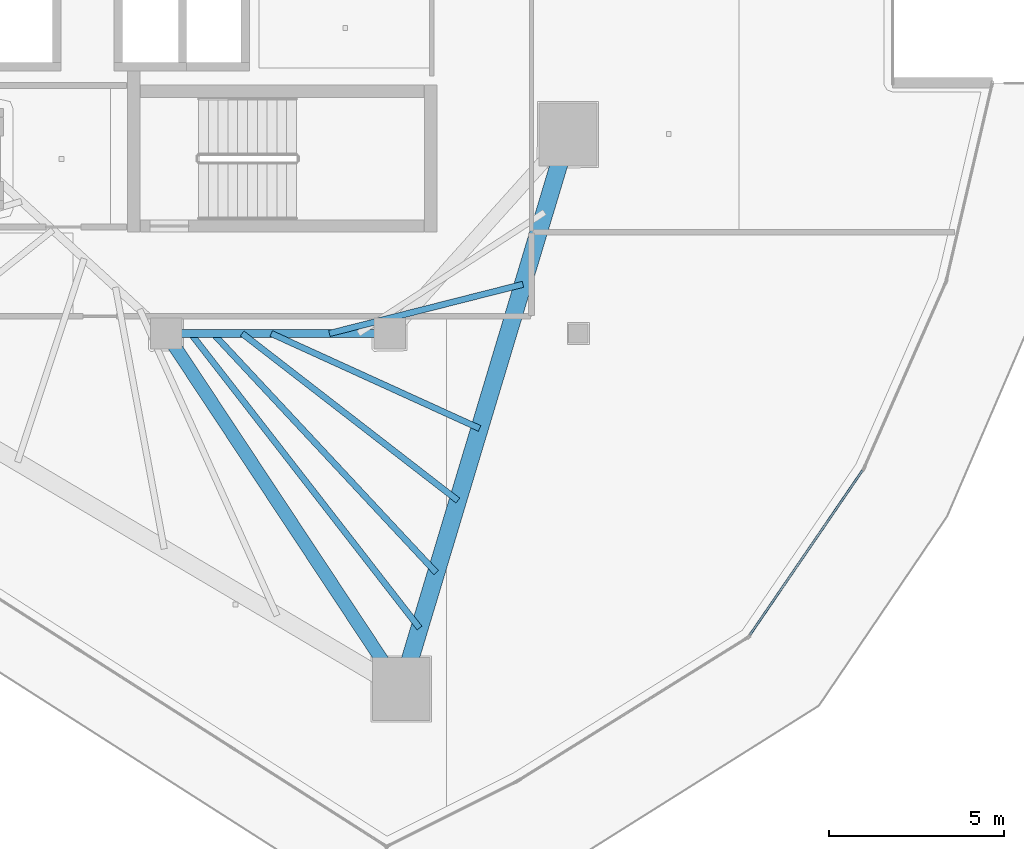
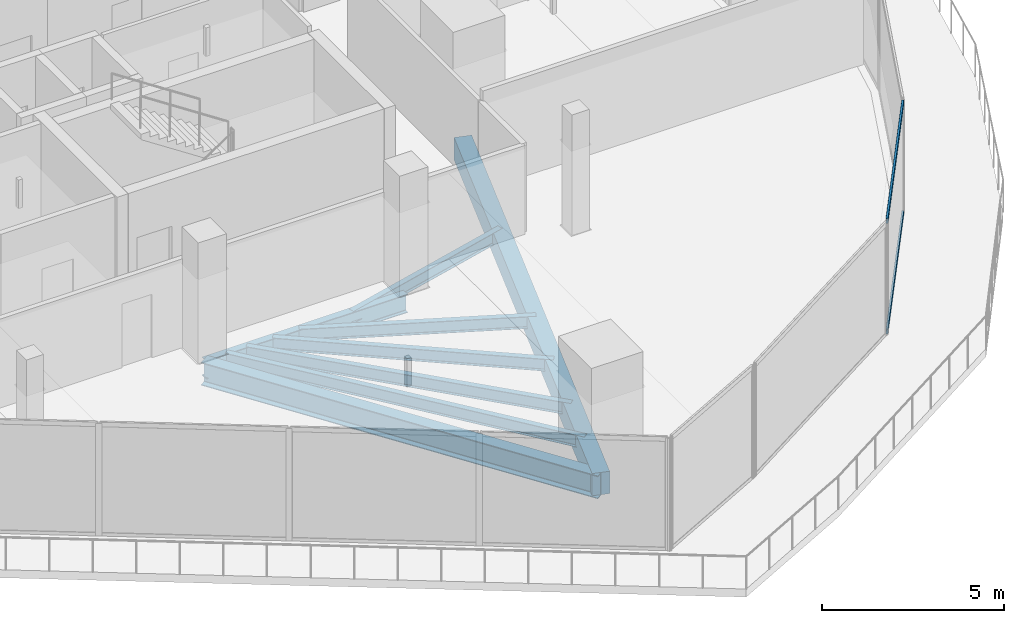
# One storey, part 11 of 33: 8 beams, 2 members, 1 element without a shape of its own.
"""IFC4 building model written with IfcOpenShell, lengths in metres."""

from ifc_helpers import new_model, si_unit, direction, frame, origin, origin_2d, place, context, subcontext, project, spatial, rectangle, hollow_rectangle, i_section, extrude, material, layer, layer_set, material_profile, profile_set, type_object, element, aggregate, save


model = new_model("IFC4")

# Units and contexts
model_context = context("Model", 3, precision=1e-05, world=origin(), true_north=direction((0.0, 1.0)))
body_context = subcontext(model_context, "Body", "Model", "MODEL_VIEW")
ifc_project = project(units=[si_unit("LENGTHUNIT", "METRE"), si_unit("AREAUNIT", "SQUARE_METRE"), si_unit("VOLUMEUNIT", "CUBIC_METRE"), si_unit("PLANEANGLEUNIT", "RADIAN"), si_unit("MASSUNIT", "GRAM", prefix="KILO")], contexts=[model_context])

# Site, building, storey
site_placement = place(None, origin())
site = spatial("IfcSite", under=ifc_project, at=site_placement, CompositionType="ELEMENT")
building_placement = place(site_placement, origin())
building = spatial("IfcBuilding", under=site, at=building_placement, Name="Qorvath Tower", CompositionType="ELEMENT")
storey_placement = place(building_placement, frame((0.0, 0.0, 221.25)))
storey = spatial("IfcBuildingStorey", under=building, at=storey_placement, Name="L51", CompositionType="ELEMENT", Elevation=221.25)

# Beams
ifc_material_1 = material(Name="Steel ASTM A992 Grade 50", Category="steel")
ifc_material_profile_1 = material_profile(ifc_material_1, i_section(OverallWidth=0.381103515625, OverallDepth=0.77294921875, WebThickness=0.0166015625, FlangeThickness=0.027099609375, FilletRadius=0.01904296875, at=origin_2d()), Name="W30x173")
ifc_profile_set_1 = profile_set([ifc_material_profile_1], Name="Steel ASTM A992 Grade 50")
beam_type_1 = type_object("IfcBeamType", Name="BM-FG3", PredefinedType="BEAM", material=ifc_profile_set_1)
beam_1_placement = place(storey_placement, frame((-23.60009765625, -11.449951171875, -0.656494140625), z_axis=(0.551500517741, -0.834174549439, 0.0), x_axis=(0.834174549439, 0.551500517741, 0.0)))
element("IfcBeam", 1, at=beam_1_placement, inside=storey, type_object=beam_type_1, Name="Radial Floor Girder CC4-MC3 L51", PredefinedType="BEAM", context=body_context, shape_type="SweptSolid", body=[
    extrude(i_section(OverallWidth=0.381103515625, OverallDepth=0.77294921875, WebThickness=0.0166015625, FlangeThickness=0.027099609375, FilletRadius=0.01904296875, at=origin_2d()), origin(), (0.0, 0.0, 1.0), 12.200439453125),
])
ifc_material_2 = material(Name="Steel ASTM A992 Grade 50", Category="steel")
ifc_material_profile_2 = material_profile(ifc_material_2, i_section(OverallWidth=0.22998046875, OverallDepth=0.616943359375, WebThickness=0.01318359375, FlangeThickness=0.022216796875, FilletRadius=0.014892578125, at=origin_2d()), Name="W24x94")
ifc_profile_set_2 = profile_set([ifc_material_profile_2], Name="Steel ASTM A992 Grade 50")
beam_type_2 = type_object("IfcBeamType", Name="BM-FG6", PredefinedType="BEAM", material=ifc_profile_set_2)
beam_2_placement = place(storey_placement, frame((-17.199951171875, -11.449951171875, -0.57861328125), z_axis=(-1.0, 0.0, 0.0), x_axis=(0.0, -1.0, 0.0)))
element("IfcBeam", 2, at=beam_2_placement, inside=storey, type_object=beam_type_2, Name="Core Ring Girder CC3-CC4 L51", PredefinedType="BEAM", context=body_context, shape_type="SweptSolid", body=[
    extrude(i_section(OverallWidth=0.22998046875, OverallDepth=0.616943359375, WebThickness=0.01318359375, FlangeThickness=0.022216796875, FilletRadius=0.014892578125, at=origin_2d()), origin(), (0.0, 0.0, 1.0), 6.400146484375),
])
ifc_material_3 = material(Name="Steel ASTM A992 Grade 50", Category="steel")
ifc_material_profile_3 = material_profile(ifc_material_3, i_section(OverallWidth=0.177978515625, OverallDepth=0.406005859375, WebThickness=0.0078125, FlangeThickness=0.0126953125, FilletRadius=0.010986328125, at=origin_2d()), Name="W16x40")
ifc_profile_set_3 = profile_set([ifc_material_profile_3], Name="Steel ASTM A992 Grade 50")
beam_type_3 = type_object("IfcBeamType", Name="BM-FJ3", PredefinedType="JOIST", material=ifc_profile_set_3)
beam_3_placement = place(storey_placement, frame((-18.927978515625, -11.449951171875, -0.472900390625), z_axis=(0.969231577698, 0.246150662794, 0.0), x_axis=(-0.246150662794, 0.969231577698, 0.0)))
element("IfcBeam", 3, at=beam_3_placement, inside=storey, type_object=beam_type_3, Name="Composite Floor Joist SE2 L51", PredefinedType="JOIST", context=body_context, shape_type="SweptSolid", body=[
    extrude(i_section(OverallWidth=0.177978515625, OverallDepth=0.406005859375, WebThickness=0.0078125, FlangeThickness=0.0126953125, FilletRadius=0.010986328125, at=origin_2d()), origin(), (0.0, 0.0, 1.0), 5.718017578125),
])
beam_4_placement = place(storey_placement, frame((-20.592041015625, -11.449951171875, -0.472900390625), z_axis=(0.909945081179, -0.414728765868, 0.0), x_axis=(0.414728765868, 0.909945081179, 0.0)))
element("IfcBeam", 4, at=beam_4_placement, inside=storey, type_object=beam_type_3, Name="Composite Floor Joist SE4 L51", PredefinedType="JOIST", context=body_context, shape_type="SweptSolid", body=[
    extrude(i_section(OverallWidth=0.177978515625, OverallDepth=0.406005859375, WebThickness=0.0078125, FlangeThickness=0.0126953125, FilletRadius=0.010986328125, at=origin_2d()), origin(), (0.0, 0.0, 1.0), 6.554931640625),
])
beam_5_placement = place(storey_placement, frame((-21.424072265625, -11.449951171875, -0.472900390625), z_axis=(0.790693445503, -0.612212279555, 0.0), x_axis=(0.612212279555, 0.790693445503, 0.0)))
element("IfcBeam", 5, at=beam_5_placement, inside=storey, type_object=beam_type_3, Name="Composite Floor Joist SE5 L51", PredefinedType="JOIST", context=body_context, shape_type="SweptSolid", body=[
    extrude(i_section(OverallWidth=0.177978515625, OverallDepth=0.406005859375, WebThickness=0.0078125, FlangeThickness=0.0126953125, FilletRadius=0.010986328125, at=origin_2d()), origin(), (0.0, 0.0, 1.0), 7.810546875),
])
beam_6_placement = place(storey_placement, frame((-22.256103515625, -11.449951171875, -0.472900390625), z_axis=(0.682249490937, -0.731119437654, 0.0), x_axis=(0.731119437654, 0.682249490937, 0.0)))
element("IfcBeam", 6, at=beam_6_placement, inside=storey, type_object=beam_type_3, Name="Composite Floor Joist SE6 L51", PredefinedType="JOIST", context=body_context, shape_type="SweptSolid", body=[
    extrude(i_section(OverallWidth=0.177978515625, OverallDepth=0.406005859375, WebThickness=0.0078125, FlangeThickness=0.0126953125, FilletRadius=0.010986328125, at=origin_2d()), origin(), (0.0, 0.0, 1.0), 9.362060546875),
])
beam_7_placement = place(storey_placement, frame((-22.89599609375, -11.449951171875, -0.472900390625), z_axis=(0.61345131907, -0.789732536452, 0.0), x_axis=(0.789732536452, 0.61345131907, 0.0)))
element("IfcBeam", 7, at=beam_7_placement, inside=storey, type_object=beam_type_3, Name="Composite Floor Joist SE7 L51", PredefinedType="JOIST", context=body_context, shape_type="SweptSolid", body=[
    extrude(i_section(OverallWidth=0.177978515625, OverallDepth=0.406005859375, WebThickness=0.0078125, FlangeThickness=0.0126953125, FilletRadius=0.010986328125, at=origin_2d()), origin(), (0.0, 0.0, 1.0), 10.676513671875),
])
ifc_material_4 = material(Name="Concrete C45/55", Category="concrete")
ifc_material_profile_4 = material_profile(ifc_material_4, rectangle(XDim=0.5, YDim=0.75, at=origin_2d()), Name="RCB 750x500")
ifc_profile_set_4 = profile_set([ifc_material_profile_4], Name="Concrete C45/55")
beam_type_4 = type_object("IfcBeamType", Name="BM-RCB3", PredefinedType="SPANDREL", material=ifc_profile_set_4)
beam_8_placement = place(storey_placement, frame((-16.87158203125, -21.627197265625, -0.64501953125), z_axis=(0.28812763802, 0.957592013443, 0.0), x_axis=(-0.957592013443, 0.28812763802, 0.0)))
element("IfcBeam", 8, at=beam_8_placement, inside=storey, type_object=beam_type_4, Name="Perimeter Loggia Frame Beam MC3-MC4 L51", PredefinedType="SPANDREL", context=body_context, shape_type="SweptSolid", body=[
    extrude(rectangle(XDim=0.5, YDim=0.75, at=origin_2d()), origin(), (0.0, 0.0, 1.0), 16.572265625),
])

# Curtain wall, members
ifc_material_5 = material(Name="Anodised aluminium and triple low-E glass", Category="aluminium")
ifc_layer = layer(ifc_material_5, 0.179931640625)
ifc_layer_set = layer_set([ifc_layer], Name="CW-SYS-3")
curtain_wall_type = type_object("IfcCurtainWallType", Name="CW-SYS-3", PredefinedType="NOTDEFINED", material=ifc_layer_set)
curtain_wall_placement = place(storey_placement, origin())
curtain_wall = element("IfcCurtainWall", 9, at=curtain_wall_placement, inside=storey, type_object=curtain_wall_type, Name="Curtain Wall CW-3 CW-T-L51-5.1", PredefinedType="NOTDEFINED")
ifc_material_6 = material(Name="Anodised aluminium 6063-T6", Category="aluminium")
ifc_material_profile_5 = material_profile(ifc_material_6, hollow_rectangle(XDim=0.06494140625, YDim=0.159912109375, WallThickness=0.00341796875, InnerFilletRadius=0.00341796875, OuterFilletRadius=0.007080078125, at=origin_2d()), Name="CWT 160x65")
ifc_profile_set_5 = profile_set([ifc_material_profile_5], Name="Anodised aluminium 6063-T6")
member_type = type_object("IfcMemberType", Name="CWT-160", PredefinedType="USERDEFINED", material=ifc_profile_set_5)
member_1_placement = place(storey_placement, frame((-6.892578125, -20.083984375, 0.032470703125), z_axis=(0.564748258868, 0.82526323322, 0.0), x_axis=(-0.82526323322, 0.564748258868, 0.0)))
member_1 = element("IfcMember", 10, at=member_1_placement, type_object=member_type, Name="CW-3 transom 1.1", ObjectType="TRANSOM", PredefinedType="USERDEFINED", context=body_context, shape_type="SweptSolid", body=[
    extrude(hollow_rectangle(XDim=0.06494140625, YDim=0.159912109375, WallThickness=0.00341796875, InnerFilletRadius=0.00341796875, OuterFilletRadius=0.007080078125, at=origin_2d()), origin(), (0.0, 0.0, 1.0), 5.712890625),
])
member_2_placement = place(storey_placement, frame((-6.892578125, -20.083984375, 3.74755859375), z_axis=(0.564748258868, 0.82526323322, 0.0), x_axis=(-0.82526323322, 0.564748258868, 0.0)))
member_2 = element("IfcMember", 11, at=member_2_placement, type_object=member_type, Name="CW-3 transom 1.2", ObjectType="TRANSOM", PredefinedType="USERDEFINED", context=body_context, shape_type="SweptSolid", body=[
    extrude(hollow_rectangle(XDim=0.06494140625, YDim=0.159912109375, WallThickness=0.00341796875, InnerFilletRadius=0.00341796875, OuterFilletRadius=0.007080078125, at=origin_2d()), origin(), (0.0, 0.0, 1.0), 5.712890625),
])
aggregate(curtain_wall, [member_1, member_2])

save(model, "model.ifc")
